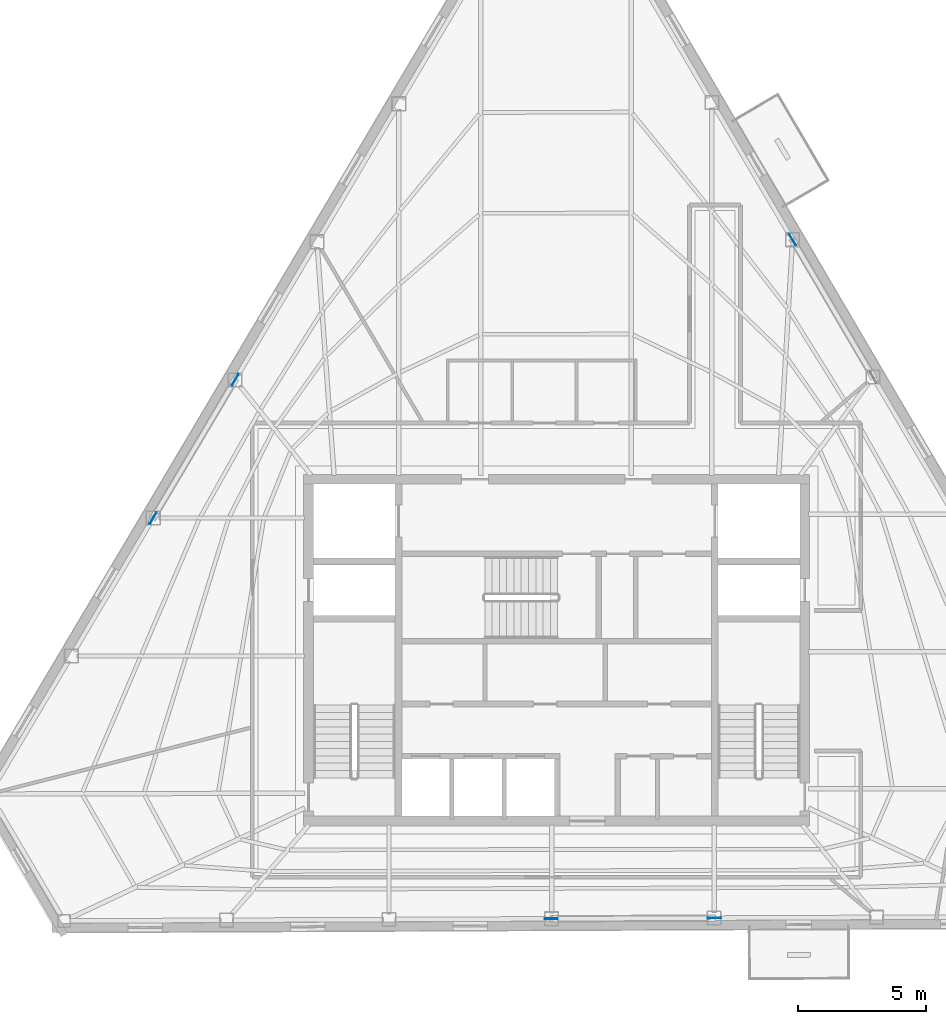
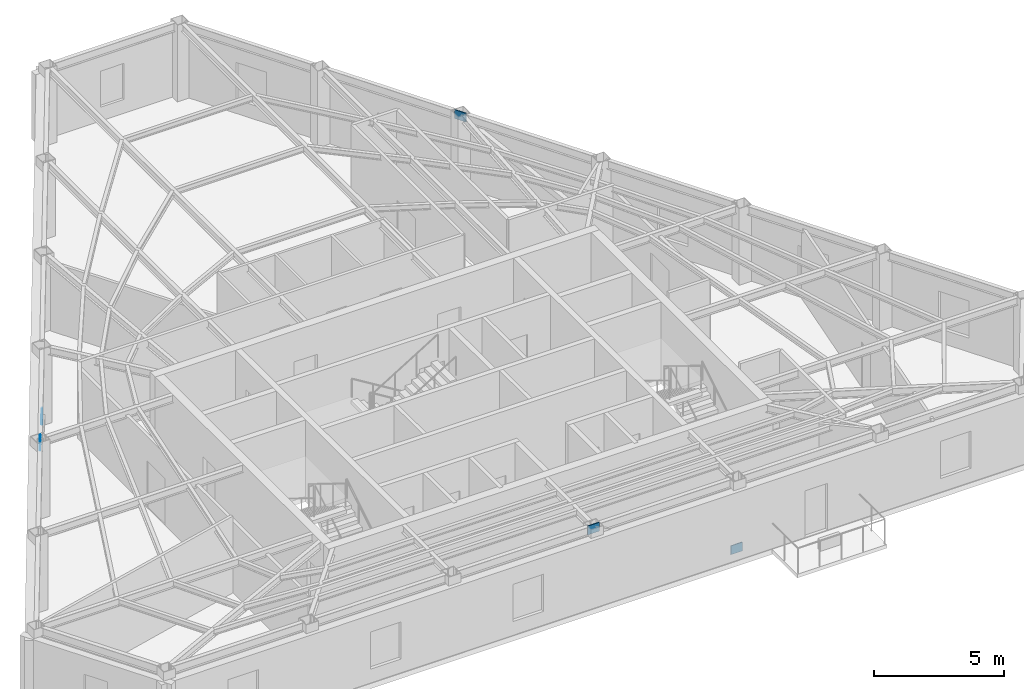
# One storey, part 4 of 9: 5 plates.
"""IFC4 building model written with IfcOpenShell, lengths in metres."""

from ifc_helpers import new_model, si_unit, direction, frame, origin, origin_2d, place, context, subcontext, project, spatial, rectangle, extrude, material, layer, layer_set, type_object, element, save


model = new_model("IFC4")

# Units and contexts
model_context = context("Model", 3, precision=1e-05, world=origin(), true_north=direction((0.0, 1.0)))
body_context = subcontext(model_context, "Body", "Model", "MODEL_VIEW")
ifc_project = project(units=[si_unit("LENGTHUNIT", "METRE"), si_unit("AREAUNIT", "SQUARE_METRE"), si_unit("VOLUMEUNIT", "CUBIC_METRE"), si_unit("PLANEANGLEUNIT", "RADIAN"), si_unit("MASSUNIT", "GRAM", prefix="KILO")], contexts=[model_context])

# Site, building, storey
site_placement = place(None, origin())
site = spatial("IfcSite", under=ifc_project, at=site_placement, CompositionType="ELEMENT")
building_placement = place(site_placement, origin())
building = spatial("IfcBuilding", under=site, at=building_placement, Name="Kavelnor Concourse Tower", CompositionType="ELEMENT")
storey_placement = place(building_placement, frame((0.0, 0.0, 278.0)))
storey = spatial("IfcBuildingStorey", under=building, at=storey_placement, Name="L70", CompositionType="ELEMENT", Elevation=278.0)

# Plates
ifc_material = material(Name="Steel Grade 350", Category="steel")
ifc_layer = layer(ifc_material, 0.031982421875, Name="Steel Grade 350")
ifc_layer_set = layer_set([ifc_layer], Name="Steel Grade 350")
plate_type = type_object("IfcPlateType", Name="PL-GUSSET-TUBE-Z1", PredefinedType="USERDEFINED", material=ifc_layer_set)
for number, where, z_axis, x_axis, name in (
    (1, (25.4189453125, 26.685791015625, 0.010009765625), (0.0, 0.0, 1.0), (-0.510092630351, -0.860119473365, 0.0), "L70 Tube Brace Gusset GP3 F0-B3 End Gusset A"),
    (2, (22.202392578125, 21.26123046875, 3.197021484375), (0.0, 0.0, 1.0), (-0.510092630351, -0.860119473365, 0.0), "L70 Tube Brace Gusset GP3 F0-B3 End Gusset B"),
    (3, (44.176025390625, 5.60791015625, 0.010009765625), (0.0, 0.0, 1.0), (-0.999990480721, -0.004363309285, 0.0), "L70 Tube Brace Gusset GP3 F1-B3 End Gusset A"),
    (4, (37.790283203125, 5.57958984375, 3.197021484375), (0.0, 0.0, 1.0), (-0.999990480721, -0.004363309285, 0.0), "L70 Tube Brace Gusset GP3 F1-B3 End Gusset B"),
    (5, (47.228759765625, 32.1748046875, 3.197021484375), (0.0, 0.0, 1.0), (-0.506184293447, 0.862425336518, 0.0), "L70 Tube Brace Gusset GP3 F2-B3 End Gusset B"),
):
    element("IfcPlate", number, at=place(storey_placement, frame(where, z_axis=z_axis, x_axis=x_axis)), inside=storey, type_object=plate_type, Name=name, ObjectType="GUSSET_PLATE", PredefinedType="USERDEFINED", context=body_context, shape_type="SweptSolid", body=[
        extrude(rectangle(XDim=0.52001953125, YDim=0.031982421875, at=origin_2d()), origin(), (0.0, 0.0, 1.0), 0.419921875),
    ])

save(model, "model.ifc")
